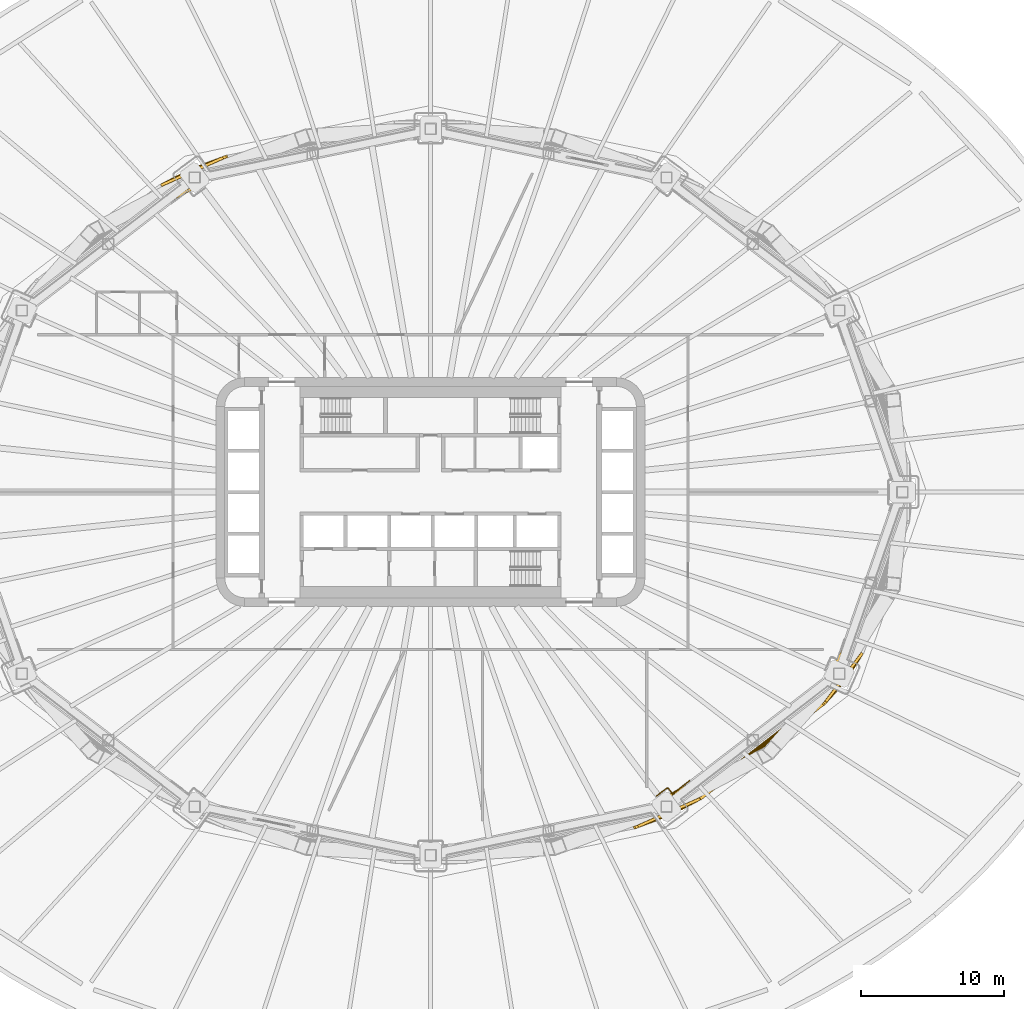
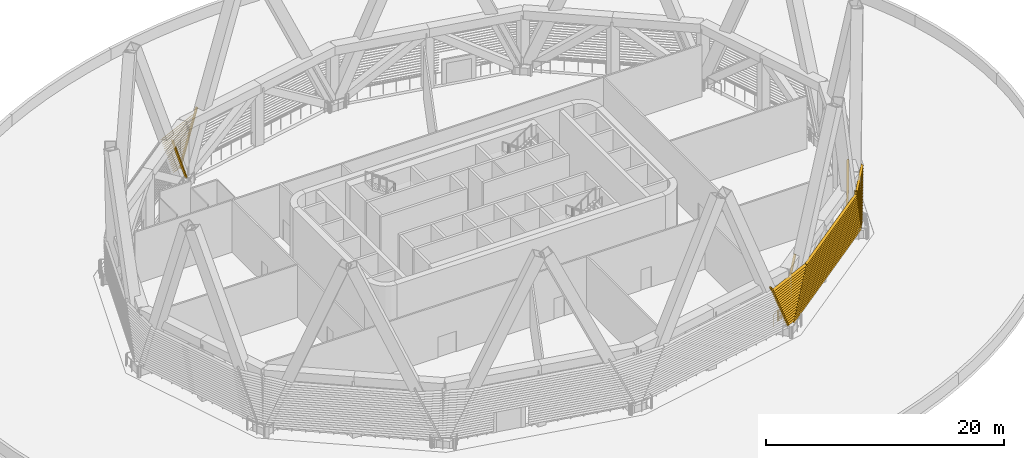
# One storey, part 23 of 27: 4 shading devices, 1 railing.
"""IFC4 building model written with IfcOpenShell, lengths in metres."""

import ifcopenshell
import ifcopenshell.guid

model = None  # the IFC model being written
_history = None  # IfcOwnerHistory: only IFC2X3 demands one
_inside = {}  # id of a spatial element -> (the spatial element, [elements in it])
_under = {}  # id of a project, library or spatial element -> (it, [spatial elements below it])
_declared = {}  # id of a project -> (the project, [libraries it declares])
_typed = {}  # id of a type object -> (the type object, [elements of that type])
_made_of = {}  # id of a material, layer set ... -> (it, [elements and type objects made of it])


def new_model(schema):
    """Start an empty IFC model of exactly this schema.

    Asked for "IFC4X3", IfcOpenShell would pick the latest addendum, in which some entities
    have other attributes; the version numbers below select the first issue.
    IFC2X3 requires an IfcOwnerHistory on every rooted entity: one is made here for all.
    """
    global model, _history
    if schema == "IFC4X3":
        model = ifcopenshell.file(schema_version=(4, 3, 0, 0))
    else:
        model = ifcopenshell.file(schema=schema)
    _inside.clear()
    _under.clear()
    _declared.clear()
    _typed.clear()
    _made_of.clear()
    _history = None
    if model.schema == "IFC2X3":
        org = make("IfcOrganization", Name="unknown")
        user = make(
            "IfcPersonAndOrganization",
            ThePerson=make("IfcPerson", FamilyName="unknown"),
            TheOrganization=org,
        )
        app = make(
            "IfcApplication",
            ApplicationDeveloper=org,
            Version="unknown",
            ApplicationFullName="unknown",
            ApplicationIdentifier="unknown",
        )
        _history = make(
            "IfcOwnerHistory",
            OwningUser=user,
            OwningApplication=app,
            ChangeAction="ADDED",
            CreationDate=0,
        )
    return model


def make(cls, **values):
    """One entity of the class cls with the attributes given. An attribute that is None is left unset."""
    return model.create_entity(
        cls, **{name: value for name, value in values.items() if value is not None}
    )


def rooted(cls, **values):
    """An entity with a GlobalId (a new one), such as an element, a storey or a relation."""
    return make(cls, GlobalId=ifcopenshell.guid.new(), OwnerHistory=_history, **values)


def si_unit(unit_type, name, prefix=None):
    """IfcSIUnit, for example si_unit("LENGTHUNIT", "METRE", prefix="MILLI")."""
    return make("IfcSIUnit", UnitType=unit_type, Prefix=prefix, Name=name)


def assignment(units):
    """IfcUnitAssignment: the units of a project."""
    return None if units is None else make("IfcUnitAssignment", Units=units)


def point(xyz):
    """IfcCartesianPoint."""
    return None if xyz is None else make("IfcCartesianPoint", Coordinates=xyz)


def direction(xyz):
    """IfcDirection."""
    return None if xyz is None else make("IfcDirection", DirectionRatios=xyz)


def frame(location, z_axis=None, x_axis=None):
    """IfcAxis2Placement3D, a coordinate frame: its origin and axes. An axis left out is left unset."""
    return make(
        "IfcAxis2Placement3D",
        Location=point(location),
        Axis=direction(z_axis),
        RefDirection=direction(x_axis),
    )


def frame_2d(location, x_axis=None):
    """IfcAxis2Placement2D, a coordinate frame in the plane: its origin and x axis."""
    return make(
        "IfcAxis2Placement2D", Location=point(location), RefDirection=direction(x_axis)
    )


def origin():
    """The frame at (0, 0, 0) with its axes left unset."""
    return frame((0.0, 0.0, 0.0))


def origin_2d():
    """The frame at (0, 0) in the plane with its x axis left unset."""
    return frame_2d((0.0, 0.0))


def place(relative_to, where):
    """IfcLocalPlacement: puts the frame where relative to a parent placement (None: the world)."""
    return make(
        "IfcLocalPlacement", PlacementRelTo=relative_to, RelativePlacement=where
    )


def context(
    kind, dimensions, precision=None, world=None, true_north=None, identifier=None
):
    """IfcGeometricRepresentationContext, for example the 3D "Model" context."""
    return make(
        "IfcGeometricRepresentationContext",
        ContextIdentifier=identifier,
        ContextType=kind,
        CoordinateSpaceDimension=dimensions,
        Precision=precision,
        WorldCoordinateSystem=world,
        TrueNorth=true_north,
    )


def subcontext(parent, identifier, kind, view, scale=None):
    """IfcGeometricRepresentationSubContext, for example "Body" below "Model"."""
    return make(
        "IfcGeometricRepresentationSubContext",
        ContextIdentifier=identifier,
        ContextType=kind,
        ParentContext=parent,
        TargetScale=scale,
        TargetView=view,
    )


def project(units=None, contexts=None):
    """IfcProject with its units and contexts."""
    return rooted(
        "IfcProject",
        Name="project",
        RepresentationContexts=contexts,
        UnitsInContext=assignment(units),
    )


def spatial(cls, under=None, at=None, **own):
    """A site, building, storey or space (cls), placed at a placement, below another one or the project."""
    s = rooted(cls, ObjectPlacement=at, **own)
    if under is not None:
        _under.setdefault(under.id(), (under, []))[1].append(s)
    return s


def profile(cls, at=None, kind="AREA", **sizes):
    """A parametric profile (cls). Its sizes go by their IFC names, for example OverallWidth=200.0."""
    return make(cls, ProfileType=kind, Position=at, **sizes)


def rectangle(**sizes):
    """IfcRectangleProfileDef."""
    return profile("IfcRectangleProfileDef", **sizes)


def circle(**sizes):
    """IfcCircleProfileDef."""
    return profile("IfcCircleProfileDef", **sizes)


def extrude(swept, where, along, depth):
    """IfcExtrudedAreaSolid: the profile swept, set in the frame where, extruded along a direction by depth."""
    return make(
        "IfcExtrudedAreaSolid",
        SweptArea=swept,
        Position=where,
        ExtrudedDirection=direction(along),
        Depth=depth,
    )


def shape(context_of_items, identifier, shape_type, items):
    """IfcShapeRepresentation: the items that make up one representation, for example the "Body"."""
    return make(
        "IfcShapeRepresentation",
        ContextOfItems=context_of_items,
        RepresentationIdentifier=identifier,
        RepresentationType=shape_type,
        Items=items,
    )


def material(Name=None, Category=None):
    """IfcMaterial."""
    return make("IfcMaterial", Name=Name, Category=Category)


def made_of(thing, what):
    """Note that an element or type object is made of a material, layer set ...; save() writes the relation."""
    if what is not None:
        _made_of.setdefault(what.id(), (what, []))[1].append(thing)
    return thing


def type_object(cls, material=None, **own):
    """A type object (cls), such as IfcWallType, which elements share."""
    return made_of(rooted(cls, **own), material)


def element(
    cls,
    number,
    at=None,
    inside=None,
    cuts=None,
    type_object=None,
    material=None,
    context=None,
    identifier="Body",
    shape_type=None,
    held_by="IfcProductDefinitionShape",
    body=None,
    shapes=None,
    **own,
):
    """One element of the class cls, such as IfcWall. Its Tag is "e" and its number.

    at: its placement. inside: the storey or other place that contains it. cuts: it is an
    opening in that element (IfcRelVoidsElement). A single representation is given by context,
    identifier, shape_type and body (its items); several are given by shapes. held_by: the class
    of the entity that holds the representations. save() writes the other relations.
    """
    e = rooted(cls, Tag="e%d" % number, ObjectPlacement=at, **own)
    if body is not None:
        shapes = [shape(context, identifier, shape_type, body)]
    if shapes is not None:
        e.Representation = make(held_by, Representations=shapes)
    if inside is not None:
        _inside.setdefault(inside.id(), (inside, []))[1].append(e)
    if cuts is not None:
        rooted(
            "IfcRelVoidsElement", RelatingBuildingElement=cuts, RelatedOpeningElement=e
        )
    if type_object is not None:
        _typed.setdefault(type_object.id(), (type_object, []))[1].append(e)
    return made_of(e, material)


def aggregate(whole, parts):
    """IfcRelAggregates: a whole, such as a stair, and the parts it consists of."""
    return rooted("IfcRelAggregates", RelatingObject=whole, RelatedObjects=parts)


def save(model, path):
    """Write the relations noted so far, then the file.

    IfcRelAggregates (storeys below a building ...), IfcRelContainedInSpatialStructure (elements
    in a storey), IfcRelDefinesByType, IfcRelAssociatesMaterial and IfcRelDeclares: one each for
    every whole, place, type object, material and project.
    """
    for whole, parts in _under.values():
        aggregate(whole, parts)
    for where, things in _inside.values():
        rooted(
            "IfcRelContainedInSpatialStructure",
            RelatedElements=things,
            RelatingStructure=where,
        )
    for kind, things in _typed.values():
        rooted("IfcRelDefinesByType", RelatedObjects=things, RelatingType=kind)
    for what, things in _made_of.values():
        rooted("IfcRelAssociatesMaterial", RelatedObjects=things, RelatingMaterial=what)
    for by, libraries in _declared.values():
        rooted("IfcRelDeclares", RelatingContext=by, RelatedDefinitions=libraries)
    model.write(path)


model = new_model("IFC4")

# Units and contexts
model_context = context("Model", 3, precision=1e-05, world=origin(), true_north=direction((0.0, 1.0)))
body_context = subcontext(model_context, "Body", "Model", "MODEL_VIEW")
ifc_project = project(units=[si_unit("LENGTHUNIT", "METRE"), si_unit("AREAUNIT", "SQUARE_METRE"), si_unit("VOLUMEUNIT", "CUBIC_METRE"), si_unit("PLANEANGLEUNIT", "RADIAN"), si_unit("MASSUNIT", "GRAM", prefix="KILO")], contexts=[model_context])

# Site, building, storey
site_placement = place(None, origin())
site = spatial("IfcSite", under=ifc_project, at=site_placement, CompositionType="ELEMENT")
building_placement = place(site_placement, origin())
building = spatial("IfcBuilding", under=site, at=building_placement, Name="Sahrelin Media Tower", CompositionType="ELEMENT")
storey_placement = place(building_placement, frame((0.0, 0.0, 44.0)))
storey = spatial("IfcBuildingStorey", under=building, at=storey_placement, Name="L06", CompositionType="ELEMENT", Elevation=44.0)

# Railing
ifc_material_1 = material(Name="Stainless steel 316", Category="steel")
railing_type = type_object("IfcRailingType", Name="Maintenance platform guard", PredefinedType="GUARDRAIL", material=ifc_material_1)
railing_placement = place(storey_placement, frame((18.108154296875, -20.19140625, 0.0)))
element("IfcRailing", 1, at=railing_placement, inside=storey, type_object=railing_type, Name="Plant level edge guard 11", PredefinedType="GUARDRAIL", context=body_context, shape_type="SweptSolid", body=[
    extrude(circle(Radius=0.02392578125, at=origin_2d()), frame((0.0, 0.0, 1.17578125), z_axis=(-0.792496907221, -0.609875931682, 0.0), x_axis=(0.609875931682, -0.792496907221, 0.0)), (0.0, 0.0, 1.0), 1.5),
    extrude(circle(Radius=0.02392578125, at=origin_2d()), frame((-1.188720703125, -0.914794921875, 1.17578125), z_axis=(-0.6, 0.8, 0.0), x_axis=(-0.8, -0.6, 0.0)), (0.0, 0.0, 1.0), 0.440673828125),
    extrude(circle(Radius=0.02392578125, at=origin_2d()), frame((-1.453125, -0.562255859375, 1.17578125), z_axis=(-0.621394711002, 0.78349767909, 0.0), x_axis=(-0.78349767909, -0.621394711002, 0.0)), (0.0, 0.0, 1.0), 0.009033203125),
    extrude(circle(Radius=0.02392578125, at=origin_2d()), frame((-1.458740234375, -0.55517578125, 1.17578125), z_axis=(-0.715376179206, 0.698739523875, 0.0), x_axis=(-0.698739523875, -0.715376179206, 0.0)), (0.0, 0.0, 1.0), 0.0146484375),
    extrude(circle(Radius=0.02392578125, at=origin_2d()), frame((-1.46923828125, -0.544921875, 1.17578125), z_axis=(-0.8, 0.6, 0.0), x_axis=(-0.6, -0.8, 0.0)), (0.0, 0.0, 1.0), 0.010986328125),
    extrude(circle(Radius=0.02392578125, at=origin_2d()), frame((-1.47802734375, -0.538330078125, 1.17578125), z_axis=(-0.82039816677, 0.571792661688, 0.0), x_axis=(-0.571792661688, -0.82039816677, 0.0)), (0.0, 0.0, 1.0), 0.009765625),
    extrude(circle(Radius=0.02392578125, at=origin_2d()), frame((-1.486083984375, -0.53271484375, 1.17578125), z_axis=(-0.885397902838, 0.46483389899, 0.0), x_axis=(-0.46483389899, -0.885397902838, 0.0)), (0.0, 0.0, 1.0), 0.010986328125),
    extrude(circle(Radius=0.02392578125, at=origin_2d()), frame((-1.495849609375, -0.527587890625, 1.17578125), z_axis=(-0.911586756889, 0.411107753107, 0.0), x_axis=(-0.411107753107, -0.911586756889, 0.0)), (0.0, 0.0, 1.0), 0.013671875),
    extrude(circle(Radius=0.02392578125, at=origin_2d()), frame((-1.50830078125, -0.52197265625, 1.17578125), z_axis=(-0.967822506788, 0.251633851765, 0.0), x_axis=(-0.251633851765, -0.967822506788, 0.0)), (0.0, 0.0, 1.0), 0.0126953125),
    extrude(circle(Radius=0.02392578125, at=origin_2d()), frame((-1.5205078125, -0.518798828125, 1.17578125), z_axis=(-0.979602700641, 0.200944143721, 0.0), x_axis=(-0.200944143721, -0.979602700641, 0.0)), (0.0, 0.0, 1.0), 0.009765625),
    extrude(circle(Radius=0.02392578125, at=origin_2d()), frame((-1.530029296875, -0.516845703125, 1.17578125), z_axis=(-0.99503719021, 0.099503719021, 0.0), x_axis=(-0.099503719021, -0.99503719021, 0.0)), (0.0, 0.0, 1.0), 0.01220703125),
    extrude(circle(Radius=0.02392578125, at=origin_2d()), frame((-1.542236328125, -0.515625, 1.17578125), z_axis=(-1.0, 0.0, 0.0), x_axis=(0.0, -1.0, 0.0)), (0.0, 0.0, 1.0), 0.01220703125),
    extrude(circle(Radius=0.02392578125, at=origin_2d()), frame((-1.554443359375, -0.515625, 1.17578125), z_axis=(-0.99522852512, -0.097571424031, 0.0), x_axis=(0.097571424031, -0.99522852512, 0.0)), (0.0, 0.0, 1.0), 0.012451171875),
    extrude(circle(Radius=0.02392578125, at=origin_2d()), frame((-1.56689453125, -0.516845703125, 1.17578125), z_axis=(-0.978980419738, -0.203954254112, 0.0), x_axis=(0.203954254112, -0.978980419738, 0.0)), (0.0, 0.0, 1.0), 0.011962890625),
    extrude(circle(Radius=0.02392578125, at=origin_2d()), frame((-1.57861328125, -0.519287109375, 1.17578125), z_axis=(-0.950605456491, -0.310401781711, 0.0), x_axis=(0.310401781711, -0.950605456491, 0.0)), (0.0, 0.0, 1.0), 0.0126953125),
    extrude(circle(Radius=0.02392578125, at=origin_2d()), frame((-1.590576171875, -0.523193359375, 1.17578125), z_axis=(-0.91785703596, -0.396911150685, 0.0), x_axis=(0.396911150685, -0.91785703596, 0.0)), (0.0, 0.0, 1.0), 0.009765625),
    extrude(circle(Radius=0.02392578125, at=origin_2d()), frame((-1.599609375, -0.527099609375, 1.17578125), z_axis=(-0.890043364859, -0.455875869806, 0.0), x_axis=(0.455875869806, -0.890043364859, 0.0)), (0.0, 0.0, 1.0), 0.01123046875),
    extrude(circle(Radius=0.02392578125, at=origin_2d()), frame((-1.609619140625, -0.5322265625, 1.17578125), z_axis=(-0.828588968691, -0.559857411278, 0.0), x_axis=(0.559857411278, -0.828588968691, 0.0)), (0.0, 0.0, 1.0), 0.010986328125),
    extrude(circle(Radius=0.02392578125, at=origin_2d()), frame((-1.61865234375, -0.538330078125, 1.17578125), z_axis=(-0.799865924291, -0.600178726013, 0.0), x_axis=(0.600178726013, -0.799865924291, 0.0)), (0.0, 0.0, 1.0), 0.874267578125),
    extrude(circle(Radius=0.02099609375, at=origin_2d()), origin(), (0.0, 0.0, 1.0), 1.15185546875),
    extrude(circle(Radius=0.02099609375, at=origin_2d()), frame((-0.59423828125, -0.45751953125, 0.0)), (0.0, 0.0, 1.0), 1.15185546875),
    extrude(circle(Radius=0.02099609375, at=origin_2d()), frame((-1.188720703125, -0.914794921875, 0.0)), (0.0, 0.0, 1.0), 1.15185546875),
    extrude(circle(Radius=0.02099609375, at=origin_2d()), frame((-1.453125, -0.562255859375, 0.0)), (0.0, 0.0, 1.0), 1.15185546875),
    extrude(circle(Radius=0.02099609375, at=origin_2d()), frame((-1.458740234375, -0.55517578125, 0.0)), (0.0, 0.0, 1.0), 1.15185546875),
    extrude(circle(Radius=0.02099609375, at=origin_2d()), frame((-1.46923828125, -0.544921875, 0.0)), (0.0, 0.0, 1.0), 1.15185546875),
    extrude(circle(Radius=0.02099609375, at=origin_2d()), frame((-1.47802734375, -0.538330078125, 0.0)), (0.0, 0.0, 1.0), 1.15185546875),
    extrude(circle(Radius=0.02099609375, at=origin_2d()), frame((-1.486083984375, -0.53271484375, 0.0)), (0.0, 0.0, 1.0), 1.15185546875),
    extrude(circle(Radius=0.02099609375, at=origin_2d()), frame((-1.495849609375, -0.527587890625, 0.0)), (0.0, 0.0, 1.0), 1.15185546875),
    extrude(circle(Radius=0.02099609375, at=origin_2d()), frame((-1.50830078125, -0.52197265625, 0.0)), (0.0, 0.0, 1.0), 1.15185546875),
    extrude(circle(Radius=0.02099609375, at=origin_2d()), frame((-1.5205078125, -0.518798828125, 0.0)), (0.0, 0.0, 1.0), 1.15185546875),
    extrude(circle(Radius=0.02099609375, at=origin_2d()), frame((-1.530029296875, -0.516845703125, 0.0)), (0.0, 0.0, 1.0), 1.15185546875),
    extrude(circle(Radius=0.02099609375, at=origin_2d()), frame((-1.542236328125, -0.515625, 0.0)), (0.0, 0.0, 1.0), 1.15185546875),
    extrude(circle(Radius=0.02099609375, at=origin_2d()), frame((-1.554443359375, -0.515625, 0.0)), (0.0, 0.0, 1.0), 1.15185546875),
    extrude(circle(Radius=0.02099609375, at=origin_2d()), frame((-1.56689453125, -0.516845703125, 0.0)), (0.0, 0.0, 1.0), 1.15185546875),
    extrude(circle(Radius=0.02099609375, at=origin_2d()), frame((-1.57861328125, -0.519287109375, 0.0)), (0.0, 0.0, 1.0), 1.15185546875),
    extrude(circle(Radius=0.02099609375, at=origin_2d()), frame((-1.590576171875, -0.523193359375, 0.0)), (0.0, 0.0, 1.0), 1.15185546875),
    extrude(circle(Radius=0.02099609375, at=origin_2d()), frame((-1.599609375, -0.527099609375, 0.0)), (0.0, 0.0, 1.0), 1.15185546875),
    extrude(circle(Radius=0.02099609375, at=origin_2d()), frame((-1.609619140625, -0.5322265625, 0.0)), (0.0, 0.0, 1.0), 1.15185546875),
    extrude(circle(Radius=0.02099609375, at=origin_2d()), frame((-1.61865234375, -0.538330078125, 0.0)), (0.0, 0.0, 1.0), 1.15185546875),
    extrude(circle(Radius=0.02099609375, at=origin_2d()), frame((-2.31787109375, -1.06298828125, 0.0)), (0.0, 0.0, 1.0), 1.15185546875),
])

# Shading devices
ifc_material_2 = material(Name="Champagne anodised aluminium 6063-T6", Category="aluminium")
shading_device_type = type_object("IfcShadingDeviceType", Name="Sand-rejection louvre band", PredefinedType="USERDEFINED", material=ifc_material_2)
shading_device_1_placement = place(storey_placement, frame((-16.480712890625, 22.005615234375, 0.0), z_axis=(0.0, 0.0, 1.0), x_axis=(0.913823919654, 0.406110630085, 0.0)))
element("IfcShadingDevice", 2, at=shading_device_1_placement, inside=storey, type_object=shading_device_type, Name="L06:LOUVRE:L06-08", ObjectType="LOUVRE", PredefinedType="USERDEFINED", context=body_context, shape_type="SweptSolid", body=[
    extrude(rectangle(XDim=0.199951171875, YDim=0.1201171875, at=origin_2d()), frame((0.389892578125, 0.5751953125, 0.85009765625), z_axis=(0.401633749991, -0.025469243478, 0.915446147245), x_axis=(0.063286979902, 0.997995369816, 0.0)), (0.0, 0.0, 1.0), 5.5693359375),
    extrude(rectangle(XDim=0.199951171875, YDim=0.1201171875, at=origin_2d()), frame((-0.343994140625, -0.622314453125, 0.85009765625), z_axis=(-0.391785537299, -0.025587612092, 0.919700694178), x_axis=(0.065171407693, -0.99787408405, 0.0)), (0.0, 0.0, 1.0), 5.54345703125),
    extrude(rectangle(XDim=0.25, YDim=0.02001953125, at=origin_2d()), frame((0.43359375, 0.573486328125, 0.949951171875), z_axis=(-1.0, 0.0, 0.0), x_axis=(0.0, -0.766044443119, 0.642787609687)), (0.0, 0.0, 1.0), 0.898681640625),
    extrude(rectangle(XDim=0.25, YDim=0.02001953125, at=origin_2d()), frame((0.54345703125, 0.566650390625, 1.199951171875), z_axis=(-1.0, 0.0, 0.0), x_axis=(0.0, -0.766044443119, 0.642787609687)), (0.0, 0.0, 1.0), 1.114990234375),
    extrude(rectangle(XDim=0.25, YDim=0.02001953125, at=origin_2d()), frame((0.653076171875, 0.559814453125, 1.449951171875), z_axis=(-1.0, 0.0, 0.0), x_axis=(0.0, -0.766044443119, 0.642787609687)), (0.0, 0.0, 1.0), 1.3310546875),
    extrude(rectangle(XDim=0.25, YDim=0.02001953125, at=origin_2d()), frame((0.7626953125, 0.552734375, 1.699951171875), z_axis=(-1.0, 0.0, 0.0), x_axis=(0.0, -0.766044443119, 0.642787609687)), (0.0, 0.0, 1.0), 1.547119140625),
    extrude(rectangle(XDim=0.25, YDim=0.02001953125, at=origin_2d()), frame((0.872314453125, 0.5458984375, 1.949951171875), z_axis=(-1.0, 0.0, 0.0), x_axis=(0.0, -0.766044443119, 0.642787609687)), (0.0, 0.0, 1.0), 1.76318359375),
    extrude(rectangle(XDim=0.25, YDim=0.02001953125, at=origin_2d()), frame((0.982177734375, 0.538818359375, 2.199951171875), z_axis=(-1.0, 0.0, 0.0), x_axis=(0.0, -0.766044443119, 0.642787609687)), (0.0, 0.0, 1.0), 1.9794921875),
    extrude(rectangle(XDim=0.25, YDim=0.02001953125, at=origin_2d()), frame((1.091796875, 0.531982421875, 2.449951171875), z_axis=(-1.0, 0.0, 0.0), x_axis=(0.0, -0.766044443119, 0.642787609687)), (0.0, 0.0, 1.0), 2.19580078125),
    extrude(rectangle(XDim=0.25, YDim=0.02001953125, at=origin_2d()), frame((1.201416015625, 0.52490234375, 2.699951171875), z_axis=(-1.0, 0.0, 0.0), x_axis=(0.0, -0.766044443119, 0.642787609687)), (0.0, 0.0, 1.0), 2.411865234375),
    extrude(rectangle(XDim=0.25, YDim=0.02001953125, at=origin_2d()), frame((1.311279296875, 0.51806640625, 2.949951171875), z_axis=(-1.0, 0.0, 0.0), x_axis=(0.0, -0.766044443119, 0.642787609687)), (0.0, 0.0, 1.0), 2.628173828125),
    extrude(rectangle(XDim=0.25, YDim=0.02001953125, at=origin_2d()), frame((1.4208984375, 0.510986328125, 3.199951171875), z_axis=(-1.0, 0.0, 0.0), x_axis=(0.0, -0.766044443119, 0.642787609687)), (0.0, 0.0, 1.0), 2.84423828125),
    extrude(rectangle(XDim=0.25, YDim=0.02001953125, at=origin_2d()), frame((1.530517578125, 0.504150390625, 3.449951171875), z_axis=(-1.0, 0.0, 0.0), x_axis=(0.0, -0.766044443119, 0.642787609687)), (0.0, 0.0, 1.0), 3.060302734375),
    extrude(rectangle(XDim=0.25, YDim=0.02001953125, at=origin_2d()), frame((1.64013671875, 0.4970703125, 3.699951171875), z_axis=(-1.0, 0.0, 0.0), x_axis=(0.0, -0.766044443119, 0.642787609687)), (0.0, 0.0, 1.0), 3.276611328125),
    extrude(rectangle(XDim=0.25, YDim=0.02001953125, at=origin_2d()), frame((1.75, 0.489990234375, 3.949951171875), z_axis=(-1.0, 0.0, 0.0), x_axis=(0.0, -0.766044443119, 0.642787609687)), (0.0, 0.0, 1.0), 3.492919921875),
    extrude(rectangle(XDim=0.25, YDim=0.02001953125, at=origin_2d()), frame((1.859619140625, 0.483154296875, 4.199951171875), z_axis=(-1.0, 0.0, 0.0), x_axis=(0.0, -0.766044443119, 0.642787609687)), (0.0, 0.0, 1.0), 3.708984375),
    extrude(rectangle(XDim=0.25, YDim=0.02001953125, at=origin_2d()), frame((1.96923828125, 0.476318359375, 4.449951171875), z_axis=(-1.0, 0.0, 0.0), x_axis=(0.0, -0.766044443119, 0.642787609687)), (0.0, 0.0, 1.0), 3.925048828125),
    extrude(rectangle(XDim=0.25, YDim=0.02001953125, at=origin_2d()), frame((2.078857421875, 0.46923828125, 4.699951171875), z_axis=(-1.0, 0.0, 0.0), x_axis=(0.0, -0.766044443119, 0.642787609687)), (0.0, 0.0, 1.0), 4.14111328125),
    extrude(rectangle(XDim=0.25, YDim=0.02001953125, at=origin_2d()), frame((2.188720703125, 0.46240234375, 4.949951171875), z_axis=(-1.0, 0.0, 0.0), x_axis=(0.0, -0.766044443119, 0.642787609687)), (0.0, 0.0, 1.0), 4.357421875),
    extrude(rectangle(XDim=0.25, YDim=0.02001953125, at=origin_2d()), frame((2.29833984375, 0.455322265625, 5.199951171875), z_axis=(-1.0, 0.0, 0.0), x_axis=(0.0, -0.766044443119, 0.642787609687)), (0.0, 0.0, 1.0), 4.57373046875),
    extrude(rectangle(XDim=0.25, YDim=0.02001953125, at=origin_2d()), frame((2.407958984375, 0.448486328125, 5.449951171875), z_axis=(-1.0, 0.0, 0.0), x_axis=(0.0, -0.766044443119, 0.642787609687)), (0.0, 0.0, 1.0), 4.789794921875),
])
shading_device_2_placement = place(storey_placement, frame((16.480712890625, -22.005615234375, 0.0), z_axis=(0.0, 0.0, 1.0), x_axis=(-0.913823919654, -0.406110630085, 0.0)))
element("IfcShadingDevice", 3, at=shading_device_2_placement, inside=storey, type_object=shading_device_type, Name="L06:LOUVRE:L06-20", ObjectType="LOUVRE", PredefinedType="USERDEFINED", context=body_context, shape_type="SweptSolid", body=[
    extrude(rectangle(XDim=0.199951171875, YDim=0.1201171875, at=origin_2d()), frame((0.389892578125, 0.5751953125, 0.85009765625), z_axis=(0.401633749991, -0.025469243478, 0.915446147245), x_axis=(0.063286979902, 0.997995369816, 0.0)), (0.0, 0.0, 1.0), 5.5693359375),
    extrude(rectangle(XDim=0.199951171875, YDim=0.1201171875, at=origin_2d()), frame((-0.343994140625, -0.622314453125, 0.85009765625), z_axis=(-0.391785537299, -0.025587612092, 0.919700694178), x_axis=(0.065171407693, -0.99787408405, 0.0)), (0.0, 0.0, 1.0), 5.54345703125),
    extrude(rectangle(XDim=0.25, YDim=0.02001953125, at=origin_2d()), frame((0.43359375, 0.573486328125, 0.949951171875), z_axis=(-1.0, 0.0, 0.0), x_axis=(0.0, -0.766044443119, 0.642787609687)), (0.0, 0.0, 1.0), 0.898681640625),
    extrude(rectangle(XDim=0.25, YDim=0.02001953125, at=origin_2d()), frame((0.54345703125, 0.566650390625, 1.199951171875), z_axis=(-1.0, 0.0, 0.0), x_axis=(0.0, -0.766044443119, 0.642787609687)), (0.0, 0.0, 1.0), 1.114990234375),
    extrude(rectangle(XDim=0.25, YDim=0.02001953125, at=origin_2d()), frame((0.653076171875, 0.559814453125, 1.449951171875), z_axis=(-1.0, 0.0, 0.0), x_axis=(0.0, -0.766044443119, 0.642787609687)), (0.0, 0.0, 1.0), 1.3310546875),
    extrude(rectangle(XDim=0.25, YDim=0.02001953125, at=origin_2d()), frame((0.7626953125, 0.552734375, 1.699951171875), z_axis=(-1.0, 0.0, 0.0), x_axis=(0.0, -0.766044443119, 0.642787609687)), (0.0, 0.0, 1.0), 1.547119140625),
    extrude(rectangle(XDim=0.25, YDim=0.02001953125, at=origin_2d()), frame((0.872314453125, 0.5458984375, 1.949951171875), z_axis=(-1.0, 0.0, 0.0), x_axis=(0.0, -0.766044443119, 0.642787609687)), (0.0, 0.0, 1.0), 1.76318359375),
    extrude(rectangle(XDim=0.25, YDim=0.02001953125, at=origin_2d()), frame((0.982177734375, 0.538818359375, 2.199951171875), z_axis=(-1.0, 0.0, 0.0), x_axis=(0.0, -0.766044443119, 0.642787609687)), (0.0, 0.0, 1.0), 1.9794921875),
    extrude(rectangle(XDim=0.25, YDim=0.02001953125, at=origin_2d()), frame((1.091796875, 0.531982421875, 2.449951171875), z_axis=(-1.0, 0.0, 0.0), x_axis=(0.0, -0.766044443119, 0.642787609687)), (0.0, 0.0, 1.0), 2.19580078125),
    extrude(rectangle(XDim=0.25, YDim=0.02001953125, at=origin_2d()), frame((1.201416015625, 0.52490234375, 2.699951171875), z_axis=(-1.0, 0.0, 0.0), x_axis=(0.0, -0.766044443119, 0.642787609687)), (0.0, 0.0, 1.0), 2.411865234375),
    extrude(rectangle(XDim=0.25, YDim=0.02001953125, at=origin_2d()), frame((1.311279296875, 0.51806640625, 2.949951171875), z_axis=(-1.0, 0.0, 0.0), x_axis=(0.0, -0.766044443119, 0.642787609687)), (0.0, 0.0, 1.0), 2.628173828125),
    extrude(rectangle(XDim=0.25, YDim=0.02001953125, at=origin_2d()), frame((1.4208984375, 0.510986328125, 3.199951171875), z_axis=(-1.0, 0.0, 0.0), x_axis=(0.0, -0.766044443119, 0.642787609687)), (0.0, 0.0, 1.0), 2.84423828125),
    extrude(rectangle(XDim=0.25, YDim=0.02001953125, at=origin_2d()), frame((1.530517578125, 0.504150390625, 3.449951171875), z_axis=(-1.0, 0.0, 0.0), x_axis=(0.0, -0.766044443119, 0.642787609687)), (0.0, 0.0, 1.0), 3.060302734375),
    extrude(rectangle(XDim=0.25, YDim=0.02001953125, at=origin_2d()), frame((1.64013671875, 0.4970703125, 3.699951171875), z_axis=(-1.0, 0.0, 0.0), x_axis=(0.0, -0.766044443119, 0.642787609687)), (0.0, 0.0, 1.0), 3.276611328125),
    extrude(rectangle(XDim=0.25, YDim=0.02001953125, at=origin_2d()), frame((1.75, 0.489990234375, 3.949951171875), z_axis=(-1.0, 0.0, 0.0), x_axis=(0.0, -0.766044443119, 0.642787609687)), (0.0, 0.0, 1.0), 3.492919921875),
    extrude(rectangle(XDim=0.25, YDim=0.02001953125, at=origin_2d()), frame((1.859619140625, 0.483154296875, 4.199951171875), z_axis=(-1.0, 0.0, 0.0), x_axis=(0.0, -0.766044443119, 0.642787609687)), (0.0, 0.0, 1.0), 3.708984375),
    extrude(rectangle(XDim=0.25, YDim=0.02001953125, at=origin_2d()), frame((1.96923828125, 0.476318359375, 4.449951171875), z_axis=(-1.0, 0.0, 0.0), x_axis=(0.0, -0.766044443119, 0.642787609687)), (0.0, 0.0, 1.0), 3.925048828125),
    extrude(rectangle(XDim=0.25, YDim=0.02001953125, at=origin_2d()), frame((2.078857421875, 0.46923828125, 4.699951171875), z_axis=(-1.0, 0.0, 0.0), x_axis=(0.0, -0.766044443119, 0.642787609687)), (0.0, 0.0, 1.0), 4.14111328125),
    extrude(rectangle(XDim=0.25, YDim=0.02001953125, at=origin_2d()), frame((2.188720703125, 0.46240234375, 4.949951171875), z_axis=(-1.0, 0.0, 0.0), x_axis=(0.0, -0.766044443119, 0.642787609687)), (0.0, 0.0, 1.0), 4.357421875),
    extrude(rectangle(XDim=0.25, YDim=0.02001953125, at=origin_2d()), frame((2.29833984375, 0.455322265625, 5.199951171875), z_axis=(-1.0, 0.0, 0.0), x_axis=(0.0, -0.766044443119, 0.642787609687)), (0.0, 0.0, 1.0), 4.57373046875),
    extrude(rectangle(XDim=0.25, YDim=0.02001953125, at=origin_2d()), frame((2.407958984375, 0.448486328125, 5.449951171875), z_axis=(-1.0, 0.0, 0.0), x_axis=(0.0, -0.766044443119, 0.642787609687)), (0.0, 0.0, 1.0), 4.789794921875),
])
shading_device_3_placement = place(storey_placement, frame((22.594482421875, -17.30615234375, 0.0), z_axis=(0.0, 0.0, 1.0), x_axis=(-0.792449224512, -0.609937887469, 0.0)))
element("IfcShadingDevice", 4, at=shading_device_3_placement, inside=storey, type_object=shading_device_type, Name="L06:LOUVRE:L06-21", ObjectType="LOUVRE", PredefinedType="USERDEFINED", context=body_context, shape_type="SweptSolid", body=[
    extrude(rectangle(XDim=0.199951171875, YDim=0.1201171875, at=origin_2d()), frame((7.314208984375, -0.54345703125, 0.64990234375), z_axis=(-0.386774227408, 0.067421693416, 0.919706481585), x_axis=(-0.171728349686, -0.985144341665, 0.0)), (0.0, 0.0, 1.0), 5.76123046875),
    extrude(rectangle(XDim=0.199951171875, YDim=0.1201171875, at=origin_2d()), frame((-7.4169921875, 0.636962890625, 0.64990234375), z_axis=(0.355807971483, 0.068327155417, 0.932057984925), x_axis=(-0.188587998266, 0.982056295184, 0.0)), (0.0, 0.0, 1.0), 5.684814453125),
    extrude(rectangle(XDim=0.25, YDim=0.02001953125, at=origin_2d()), frame((7.479736328125, 0.655029296875, 0.75), z_axis=(-1.0, 0.0, 0.0), x_axis=(0.0, -0.766044443119, 0.642787609687)), (0.0, 0.0, 1.0), 14.860595703125),
    extrude(rectangle(XDim=0.25, YDim=0.02001953125, at=origin_2d()), frame((7.37451171875, 0.67333984375, 1.0), z_axis=(-1.0, 0.0, 0.0), x_axis=(0.0, -0.766044443119, 0.642787609687)), (0.0, 0.0, 1.0), 14.659912109375),
    extrude(rectangle(XDim=0.25, YDim=0.02001953125, at=origin_2d()), frame((7.26953125, 0.691650390625, 1.25), z_axis=(-1.0, 0.0, 0.0), x_axis=(0.0, -0.766044443119, 0.642787609687)), (0.0, 0.0, 1.0), 14.45947265625),
    extrude(rectangle(XDim=0.25, YDim=0.02001953125, at=origin_2d()), frame((7.164306640625, 0.7099609375, 1.5), z_axis=(-1.0, 0.0, 0.0), x_axis=(0.0, -0.766044443119, 0.642787609687)), (0.0, 0.0, 1.0), 14.2587890625),
    extrude(rectangle(XDim=0.25, YDim=0.02001953125, at=origin_2d()), frame((7.05908203125, 0.728271484375, 1.75), z_axis=(-1.0, 0.0, 0.0), x_axis=(0.0, -0.766044443119, 0.642787609687)), (0.0, 0.0, 1.0), 14.05810546875),
    extrude(rectangle(XDim=0.25, YDim=0.02001953125, at=origin_2d()), frame((6.9541015625, 0.74658203125, 2.0), z_axis=(-1.0, 0.0, 0.0), x_axis=(0.0, -0.766044443119, 0.642787609687)), (0.0, 0.0, 1.0), 13.85791015625),
    extrude(rectangle(XDim=0.25, YDim=0.02001953125, at=origin_2d()), frame((6.84912109375, 0.764892578125, 2.25), z_axis=(-1.0, 0.0, 0.0), x_axis=(0.0, -0.766044443119, 0.642787609687)), (0.0, 0.0, 1.0), 13.657470703125),
    extrude(rectangle(XDim=0.25, YDim=0.02001953125, at=origin_2d()), frame((6.743896484375, 0.783203125, 2.5), z_axis=(-1.0, 0.0, 0.0), x_axis=(0.0, -0.766044443119, 0.642787609687)), (0.0, 0.0, 1.0), 13.456787109375),
    extrude(rectangle(XDim=0.25, YDim=0.02001953125, at=origin_2d()), frame((6.638671875, 0.801513671875, 2.75), z_axis=(-1.0, 0.0, 0.0), x_axis=(0.0, -0.766044443119, 0.642787609687)), (0.0, 0.0, 1.0), 13.256103515625),
    extrude(rectangle(XDim=0.25, YDim=0.02001953125, at=origin_2d()), frame((6.53369140625, 0.820068359375, 3.0), z_axis=(-1.0, 0.0, 0.0), x_axis=(0.0, -0.766044443119, 0.642787609687)), (0.0, 0.0, 1.0), 13.0556640625),
    extrude(rectangle(XDim=0.25, YDim=0.02001953125, at=origin_2d()), frame((6.428466796875, 0.83837890625, 3.25), z_axis=(-1.0, 0.0, 0.0), x_axis=(0.0, -0.766044443119, 0.642787609687)), (0.0, 0.0, 1.0), 12.85498046875),
    extrude(rectangle(XDim=0.25, YDim=0.02001953125, at=origin_2d()), frame((6.3232421875, 0.856689453125, 3.5), z_axis=(-1.0, 0.0, 0.0), x_axis=(0.0, -0.766044443119, 0.642787609687)), (0.0, 0.0, 1.0), 12.654296875),
    extrude(rectangle(XDim=0.25, YDim=0.02001953125, at=origin_2d()), frame((6.21826171875, 0.875, 3.75), z_axis=(-1.0, 0.0, 0.0), x_axis=(0.0, -0.766044443119, 0.642787609687)), (0.0, 0.0, 1.0), 12.453857421875),
    extrude(rectangle(XDim=0.25, YDim=0.02001953125, at=origin_2d()), frame((6.113037109375, 0.893310546875, 4.0), z_axis=(-1.0, 0.0, 0.0), x_axis=(0.0, -0.766044443119, 0.642787609687)), (0.0, 0.0, 1.0), 12.25341796875),
    extrude(rectangle(XDim=0.25, YDim=0.02001953125, at=origin_2d()), frame((6.0078125, 0.91162109375, 4.25), z_axis=(-1.0, 0.0, 0.0), x_axis=(0.0, -0.766044443119, 0.642787609687)), (0.0, 0.0, 1.0), 12.052734375),
    extrude(rectangle(XDim=0.25, YDim=0.02001953125, at=origin_2d()), frame((5.90283203125, 0.929931640625, 4.5), z_axis=(-1.0, 0.0, 0.0), x_axis=(0.0, -0.766044443119, 0.642787609687)), (0.0, 0.0, 1.0), 11.852294921875),
    extrude(rectangle(XDim=0.25, YDim=0.02001953125, at=origin_2d()), frame((5.797607421875, 0.9482421875, 4.75), z_axis=(-1.0, 0.0, 0.0), x_axis=(0.0, -0.766044443119, 0.642787609687)), (0.0, 0.0, 1.0), 11.651611328125),
    extrude(rectangle(XDim=0.25, YDim=0.02001953125, at=origin_2d()), frame((5.6923828125, 0.966552734375, 5.0), z_axis=(-1.0, 0.0, 0.0), x_axis=(0.0, -0.766044443119, 0.642787609687)), (0.0, 0.0, 1.0), 11.450927734375),
    extrude(rectangle(XDim=0.25, YDim=0.02001953125, at=origin_2d()), frame((5.58740234375, 0.98486328125, 5.25), z_axis=(-1.0, 0.0, 0.0), x_axis=(0.0, -0.766044443119, 0.642787609687)), (0.0, 0.0, 1.0), 11.25048828125),
    extrude(rectangle(XDim=0.25, YDim=0.02001953125, at=origin_2d()), frame((5.482421875, 1.003173828125, 5.5), z_axis=(-1.0, 0.0, 0.0), x_axis=(0.0, -0.766044443119, 0.642787609687)), (0.0, 0.0, 1.0), 11.050048828125),
])
shading_device_4_placement = place(storey_placement, frame((28.564453125, -12.71923828125, 0.0), z_axis=(0.0, 0.0, 1.0), x_axis=(-0.6, -0.8, 0.0)))
element("IfcShadingDevice", 5, at=shading_device_4_placement, inside=storey, type_object=shading_device_type, Name="L06:LOUVRE:L06-22", ObjectType="LOUVRE", PredefinedType="USERDEFINED", context=body_context, shape_type="SweptSolid", body=[
    extrude(rectangle(XDim=0.199951171875, YDim=0.1201171875, at=origin_2d()), frame((0.392822265625, 0.56787109375, 0.949951171875), z_axis=(0.361058414032, -0.029454645553, 0.932077918155), x_axis=(0.081308507287, 0.996688981901, 0.0)), (0.0, 0.0, 1.0), 5.36279296875),
    extrude(rectangle(XDim=0.199951171875, YDim=0.1201171875, at=origin_2d()), frame((-0.32763671875, -0.6279296875, 0.949951171875), z_axis=(-0.349214416469, -0.029596768071, 0.936575316058), x_axis=(0.084449666223, -0.99642774644, 0.0)), (0.0, 0.0, 1.0), 5.3369140625),
    extrude(rectangle(XDim=0.25, YDim=0.02001953125, at=origin_2d()), frame((0.431640625, 0.56689453125, 1.050048828125), z_axis=(-1.0, 0.0, 0.0), x_axis=(0.0, -0.766044443119, 0.642787609687)), (0.0, 0.0, 1.0), 0.898193359375),
    extrude(rectangle(XDim=0.25, YDim=0.02001953125, at=origin_2d()), frame((0.528564453125, 0.558837890625, 1.300048828125), z_axis=(-1.0, 0.0, 0.0), x_axis=(0.0, -0.766044443119, 0.642787609687)), (0.0, 0.0, 1.0), 1.08837890625),
    extrude(rectangle(XDim=0.25, YDim=0.02001953125, at=origin_2d()), frame((0.62548828125, 0.551025390625, 1.550048828125), z_axis=(-1.0, 0.0, 0.0), x_axis=(0.0, -0.766044443119, 0.642787609687)), (0.0, 0.0, 1.0), 1.278564453125),
    extrude(rectangle(XDim=0.25, YDim=0.02001953125, at=origin_2d()), frame((0.72216796875, 0.543212890625, 1.800048828125), z_axis=(-1.0, 0.0, 0.0), x_axis=(0.0, -0.766044443119, 0.642787609687)), (0.0, 0.0, 1.0), 1.46826171875),
    extrude(rectangle(XDim=0.25, YDim=0.02001953125, at=origin_2d()), frame((0.819091796875, 0.53515625, 2.050048828125), z_axis=(-1.0, 0.0, 0.0), x_axis=(0.0, -0.766044443119, 0.642787609687)), (0.0, 0.0, 1.0), 1.658447265625),
    extrude(rectangle(XDim=0.25, YDim=0.02001953125, at=origin_2d()), frame((0.916015625, 0.527099609375, 2.300048828125), z_axis=(-1.0, 0.0, 0.0), x_axis=(0.0, -0.766044443119, 0.642787609687)), (0.0, 0.0, 1.0), 1.8486328125),
    extrude(rectangle(XDim=0.25, YDim=0.02001953125, at=origin_2d()), frame((1.0126953125, 0.519287109375, 2.550048828125), z_axis=(-1.0, 0.0, 0.0), x_axis=(0.0, -0.766044443119, 0.642787609687)), (0.0, 0.0, 1.0), 2.03857421875),
    extrude(rectangle(XDim=0.25, YDim=0.02001953125, at=origin_2d()), frame((1.109619140625, 0.511474609375, 2.800048828125), z_axis=(-1.0, 0.0, 0.0), x_axis=(0.0, -0.766044443119, 0.642787609687)), (0.0, 0.0, 1.0), 2.228759765625),
    extrude(rectangle(XDim=0.25, YDim=0.02001953125, at=origin_2d()), frame((1.20654296875, 0.50341796875, 3.050048828125), z_axis=(-1.0, 0.0, 0.0), x_axis=(0.0, -0.766044443119, 0.642787609687)), (0.0, 0.0, 1.0), 2.4189453125),
    extrude(rectangle(XDim=0.25, YDim=0.02001953125, at=origin_2d()), frame((1.30322265625, 0.49560546875, 3.300048828125), z_axis=(-1.0, 0.0, 0.0), x_axis=(0.0, -0.766044443119, 0.642787609687)), (0.0, 0.0, 1.0), 2.608642578125),
    extrude(rectangle(XDim=0.25, YDim=0.02001953125, at=origin_2d()), frame((1.400146484375, 0.48779296875, 3.550048828125), z_axis=(-1.0, 0.0, 0.0), x_axis=(0.0, -0.766044443119, 0.642787609687)), (0.0, 0.0, 1.0), 2.798828125),
    extrude(rectangle(XDim=0.25, YDim=0.02001953125, at=origin_2d()), frame((1.4970703125, 0.479736328125, 3.800048828125), z_axis=(-1.0, 0.0, 0.0), x_axis=(0.0, -0.766044443119, 0.642787609687)), (0.0, 0.0, 1.0), 2.989013671875),
    extrude(rectangle(XDim=0.25, YDim=0.02001953125, at=origin_2d()), frame((1.593994140625, 0.471923828125, 4.050048828125), z_axis=(-1.0, 0.0, 0.0), x_axis=(0.0, -0.766044443119, 0.642787609687)), (0.0, 0.0, 1.0), 3.17919921875),
    extrude(rectangle(XDim=0.25, YDim=0.02001953125, at=origin_2d()), frame((1.690673828125, 0.464111328125, 4.300048828125), z_axis=(-1.0, 0.0, 0.0), x_axis=(0.0, -0.766044443119, 0.642787609687)), (0.0, 0.0, 1.0), 3.369140625),
    extrude(rectangle(XDim=0.25, YDim=0.02001953125, at=origin_2d()), frame((1.78759765625, 0.4560546875, 4.550048828125), z_axis=(-1.0, 0.0, 0.0), x_axis=(0.0, -0.766044443119, 0.642787609687)), (0.0, 0.0, 1.0), 3.55908203125),
    extrude(rectangle(XDim=0.25, YDim=0.02001953125, at=origin_2d()), frame((1.884521484375, 0.447998046875, 4.800048828125), z_axis=(-1.0, 0.0, 0.0), x_axis=(0.0, -0.766044443119, 0.642787609687)), (0.0, 0.0, 1.0), 3.749267578125),
    extrude(rectangle(XDim=0.25, YDim=0.02001953125, at=origin_2d()), frame((1.981201171875, 0.440185546875, 5.050048828125), z_axis=(-1.0, 0.0, 0.0), x_axis=(0.0, -0.766044443119, 0.642787609687)), (0.0, 0.0, 1.0), 3.939208984375),
    extrude(rectangle(XDim=0.25, YDim=0.02001953125, at=origin_2d()), frame((2.078125, 0.432373046875, 5.300048828125), z_axis=(-1.0, 0.0, 0.0), x_axis=(0.0, -0.766044443119, 0.642787609687)), (0.0, 0.0, 1.0), 4.12939453125),
    extrude(rectangle(XDim=0.25, YDim=0.02001953125, at=origin_2d()), frame((2.175048828125, 0.42431640625, 5.550048828125), z_axis=(-1.0, 0.0, 0.0), x_axis=(0.0, -0.766044443119, 0.642787609687)), (0.0, 0.0, 1.0), 4.319580078125),
])

save(model, "model.ifc")
